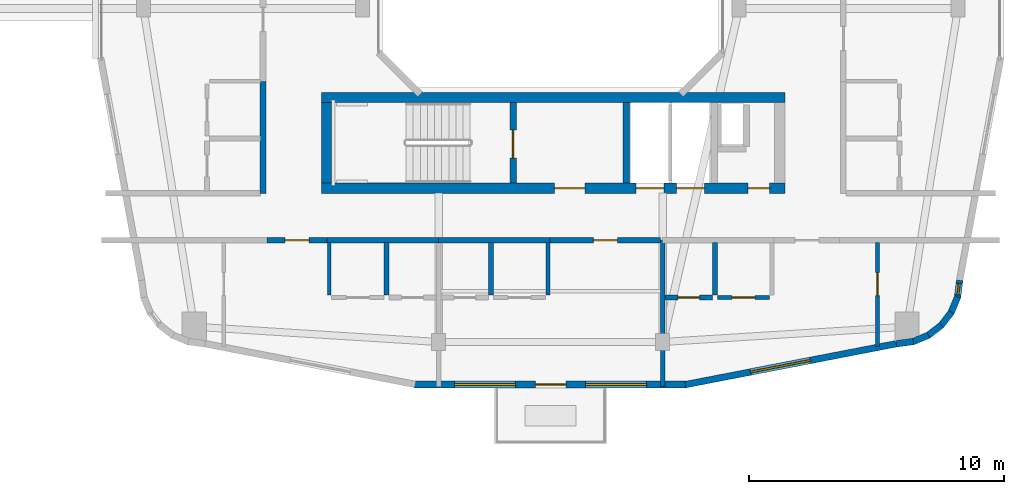
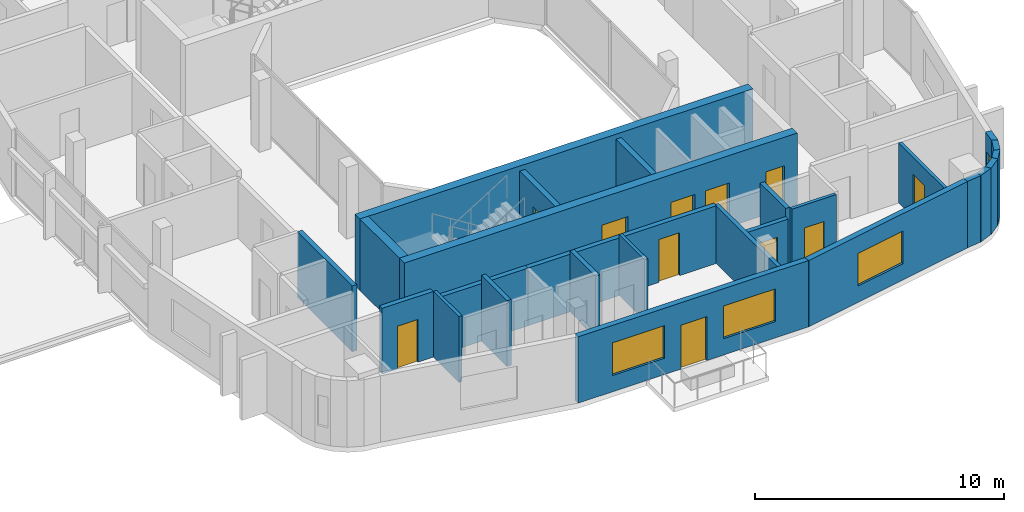
# One storey, part 13 of 22: 27 walls, 11 doors, 4 windows, 15 openings.
"""IFC4 building model written with IfcOpenShell, lengths in metres."""

from ifc_helpers import new_model, si_unit, derived_unit, direction, frame, frame_2d, origin, place, context, subcontext, project, spatial, rectangle, extrude, material, layer, layer_set, type_object, element, fill, save


model = new_model("IFC4")

# Units and contexts
model_context = context("Model", 3, precision=1e-05, world=origin(), true_north=direction((0.0, 1.0)))
body_context = subcontext(model_context, "Body", "Model", "MODEL_VIEW")
ifc_project = project(units=[si_unit("LENGTHUNIT", "METRE"), si_unit("AREAUNIT", "SQUARE_METRE"), si_unit("VOLUMEUNIT", "CUBIC_METRE"), si_unit("PLANEANGLEUNIT", "RADIAN"), si_unit("MASSUNIT", "GRAM", prefix="KILO"), derived_unit("THERMALTRANSMITTANCEUNIT", [(si_unit("POWERUNIT", "WATT"), 1), (si_unit("LENGTHUNIT", "METRE"), -2), (si_unit("THERMODYNAMICTEMPERATUREUNIT", "KELVIN"), -1)])], contexts=[model_context])

# Site, building, storey
site_placement = place(None, origin())
site = spatial("IfcSite", under=ifc_project, at=site_placement, CompositionType="ELEMENT")
building_placement = place(site_placement, origin())
building = spatial("IfcBuilding", under=site, at=building_placement, Name="Kivonza Crest Hotel", CompositionType="ELEMENT")
storey_placement = place(building_placement, frame((0.0, 0.0, 124.0)))
storey = spatial("IfcBuildingStorey", under=building, at=storey_placement, Name="L33", CompositionType="ELEMENT", Elevation=124.0)

# Walls
ifc_material_1 = material(Name="High-density acoustic masonry inter-tenancy wall", Category="masonry")
ifc_layer_1 = layer(ifc_material_1, 0.179931640625)
ifc_layer_set_1 = layer_set([ifc_layer_1], Name="High-density acoustic masonry inter-tenancy wall")
wall_type_1 = type_object("IfcWallType", Name="WL-ACOU-180", PredefinedType="SOLIDWALL", material=ifc_layer_set_1)
wall_1_placement = place(storey_placement, frame((81.39990234375, 6.659912109375, 0.0), z_axis=(0.0, 0.0, 1.0), x_axis=(0.0, 1.0, 0.0)))
element("IfcWall", 1, at=wall_1_placement, inside=storey, type_object=wall_type_1, Name="L33 interior partition WA-L33-T2S-DIV2", PredefinedType="SOLIDWALL", context=body_context, shape_type="SweptSolid", body=[
    extrude(rectangle(XDim=5.739990234375, YDim=0.179931640625, at=frame_2d((2.8701171875, 0.0))), origin(), (0.0, 0.0, 1.0), 2.824951171875),
])
ifc_material_2 = material(Name="Autoclaved aerated concrete blockwork", Category="masonry")
ifc_layer_2 = layer(ifc_material_2, 0.219970703125)
ifc_layer_set_2 = layer_set([ifc_layer_2], Name="Autoclaved aerated concrete blockwork")
wall_type_2 = type_object("IfcWallType", Name="WL-ACOU-220", PredefinedType="SOLIDWALL", material=ifc_layer_set_2)
wall_2_placement = place(storey_placement, frame((68.219970703125, 12.39990234375, 0.0), z_axis=(0.0, 0.0, 1.0), x_axis=(1.0, 0.0, 0.0)))
element("IfcWall", 2, at=wall_2_placement, inside=storey, type_object=wall_type_2, Name="L33 interior partition WA-L33-A03-RCORR", PredefinedType="SOLIDWALL", context=body_context, shape_type="SweptSolid", body=[
    extrude(rectangle(XDim=4.380126953125, YDim=0.219970703125, at=frame_2d((2.18994140625, 0.0))), origin(), (0.0, 0.0, 1.0), 2.824951171875),
])

# Wall, opening, door
wall_3_placement = place(storey_placement, frame((65.85009765625, 12.39990234375, 0.0), z_axis=(0.0, 0.0, 1.0), x_axis=(1.0, 0.0, 0.0)))
wall_3 = element("IfcWall", 3, at=wall_3_placement, inside=storey, type_object=wall_type_2, Name="L33 interior partition WA-L33-A03-MCORR", PredefinedType="SOLIDWALL", context=body_context, shape_type="SweptSolid", body=[
    extrude(rectangle(XDim=2.369873046875, YDim=0.219970703125, at=frame_2d((1.18505859375, 0.0))), origin(), (0.0, 0.0, 1.0), 3.219970703125),
])
opening_1_placement = place(wall_3_placement, frame((0.7099609375, 0.0, 0.0)))
opening_1 = element("IfcOpeningElement", 4, at=opening_1_placement, cuts=wall_3, Name="Opening DU-60", PredefinedType="OPENING", context=body_context, shape_type="SweptSolid", body=[
    extrude(rectangle(XDim=0.949951171875, YDim=2.10009765625, at=frame_2d((0.47509765625, 1.050048828125))), frame((0.0, 0.1201171875, 0.0), z_axis=(0.0, -1.0, 0.0), x_axis=(1.0, 0.0, 0.0)), (0.0, 0.0, 1.0), 0.239990234375),
])
ifc_material_3 = material(Name="Hardwood timber oak", Category="wood")
door_type_1 = type_object("IfcDoorType", Name="DR-UNIT-950", OperationType="NOTDEFINED", PredefinedType="DOOR", material=ifc_material_3)
door_1_placement = place(opening_1_placement, frame((0.949951171875, 0.0, 0.0), z_axis=(0.0, 0.0, 1.0), x_axis=(-1.0, 0.0, 0.0)))
door_1 = element("IfcDoor", 5, at=door_1_placement, inside=storey, type_object=door_type_1, Name="L33 A03 apartment entrance fire door", OperationType="SINGLE_SWING_LEFT", OverallHeight=2.10009765625, OverallWidth=0.949951171875, PredefinedType="DOOR", context=body_context, shape_type="SweptSolid", body=[
    extrude(rectangle(XDim=0.949951171875, YDim=2.10009765625, at=frame_2d((0.47509765625, 1.050048828125))), frame((0.0, 0.02490234375, 0.0), z_axis=(0.0, -1.0, 0.0), x_axis=(1.0, 0.0, 0.0)), (0.0, 0.0, 1.0), 0.050048828125),
])
fill(opening_1, door_1)

# Wall
wall_4_placement = place(storey_placement, frame((72.60009765625, 12.39990234375, 0.0), z_axis=(0.0, 0.0, 1.0), x_axis=(1.0, 0.0, 0.0)))
element("IfcWall", 6, at=wall_4_placement, inside=storey, type_object=wall_type_2, Name="L33 interior partition WA-L33-A04-LCORR", PredefinedType="SOLIDWALL", context=body_context, shape_type="SweptSolid", body=[
    extrude(rectangle(XDim=4.3798828125, YDim=0.219970703125, at=frame_2d((2.18994140625, 0.0))), origin(), (0.0, 0.0, 1.0), 2.824951171875),
])

# Wall, opening, door
wall_5_placement = place(storey_placement, frame((76.97998046875, 12.39990234375, 0.0), z_axis=(0.0, 0.0, 1.0), x_axis=(1.0, 0.0, 0.0)))
wall_5 = element("IfcWall", 7, at=wall_5_placement, inside=storey, type_object=wall_type_2, Name="L33 interior partition WA-L33-A04-MCORR", PredefinedType="SOLIDWALL", context=body_context, shape_type="SweptSolid", body=[
    extrude(rectangle(XDim=4.340087890625, YDim=0.219970703125, at=frame_2d((2.169921875, 0.0))), origin(), (0.0, 0.0, 1.0), 2.824951171875),
])
opening_2_placement = place(wall_5_placement, frame((1.695068359375, 0.0, 0.0)))
opening_2 = element("IfcOpeningElement", 8, at=opening_2_placement, cuts=wall_5, Name="Opening DU-60", PredefinedType="OPENING", context=body_context, shape_type="SweptSolid", body=[
    extrude(rectangle(XDim=0.949951171875, YDim=2.10009765625, at=frame_2d((0.47509765625, 1.050048828125))), frame((0.0, 0.1201171875, 0.0), z_axis=(0.0, -1.0, 0.0), x_axis=(1.0, 0.0, 0.0)), (0.0, 0.0, 1.0), 0.239990234375),
])
door_2_placement = place(opening_2_placement, frame((0.949951171875, 0.0, 0.0), z_axis=(0.0, 0.0, 1.0), x_axis=(-1.0, 0.0, 0.0)))
door_2 = element("IfcDoor", 9, at=door_2_placement, inside=storey, type_object=door_type_1, Name="L33 A04 apartment entrance fire door", OperationType="SINGLE_SWING_RIGHT", OverallHeight=2.10009765625, OverallWidth=0.949951171875, PredefinedType="DOOR", context=body_context, shape_type="SweptSolid", body=[
    extrude(rectangle(XDim=0.949951171875, YDim=2.10009765625, at=frame_2d((0.47509765625, 1.050048828125))), frame((0.0, 0.02490234375, 0.0), z_axis=(0.0, -1.0, 0.0), x_axis=(1.0, 0.0, 0.0)), (0.0, 0.0, 1.0), 0.050048828125),
])
fill(opening_2, door_2)

# Wall
wall_6_placement = place(storey_placement, frame((65.699951171875, 14.239990234375, 0.0), z_axis=(0.0, 0.0, 1.0), x_axis=(0.0, 1.0, 0.0)))
element("IfcWall", 10, at=wall_6_placement, inside=storey, type_object=wall_type_2, Name="L33 interior partition WA-L33-A06-BCORR", PredefinedType="SOLIDWALL", context=body_context, shape_type="SweptSolid", body=[
    extrude(rectangle(XDim=4.39990234375, YDim=0.219970703125, at=frame_2d((2.199951171875, 0.0))), origin(), (0.0, 0.0, 1.0), 3.219970703125),
])

# Wall, openings, doors
ifc_material_4 = material(Name="Concrete C50/60", Category="concrete")
ifc_layer_3 = layer(ifc_material_4, 0.39990234375)
ifc_layer_set_3 = layer_set([ifc_layer_3], Name="Concrete C50/60")
wall_type_3 = type_object("IfcWallType", Name="WL-CORE-400", PredefinedType="SHEAR", material=ifc_layer_set_3)
wall_7_placement = place(storey_placement, frame((68.0, 14.43994140625, 0.0), z_axis=(0.0, 0.0, 1.0), x_axis=(1.0, 0.0, 0.0)))
wall_7 = element("IfcWall", 11, at=wall_7_placement, inside=storey, type_object=wall_type_3, Name="Core wall T2-S South L33", PredefinedType="SHEAR", context=body_context, shape_type="SweptSolid", body=[
    extrude(rectangle(XDim=18.199951171875, YDim=0.39990234375, at=frame_2d((9.10009765625, 0.0))), origin(), (0.0, 0.0, 1.0), 3.5),
])
opening_3_placement = place(wall_7_placement, frame((9.14990234375, 0.0, 0.0)))
opening_3 = element("IfcOpeningElement", 12, at=opening_3_placement, cuts=wall_7, Name="Opening DF-60", PredefinedType="OPENING", context=body_context, shape_type="SweptSolid", body=[
    extrude(rectangle(XDim=1.199951171875, YDim=2.14990234375, at=frame_2d((0.60009765625, 1.074951171875))), frame((0.0, 0.2099609375, 0.0), z_axis=(0.0, -1.0, 0.0), x_axis=(1.0, 0.0, 0.0)), (0.0, 0.0, 1.0), 0.419921875),
])
opening_4_placement = place(wall_7_placement, frame((16.75, 0.0, 0.0)))
opening_4 = element("IfcOpeningElement", 13, at=opening_4_placement, cuts=wall_7, Name="Opening DF-60R", PredefinedType="OPENING", context=body_context, shape_type="SweptSolid", body=[
    extrude(rectangle(XDim=0.85009765625, YDim=2.10009765625, at=frame_2d((0.425048828125, 1.050048828125))), frame((0.0, 0.2099609375, 0.0), z_axis=(0.0, -1.0, 0.0), x_axis=(1.0, 0.0, 0.0)), (0.0, 0.0, 1.0), 0.419921875),
])
opening_5_placement = place(wall_7_placement, frame((12.35009765625, 0.0, 0.0)))
opening_5 = element("IfcOpeningElement", 14, at=opening_5_placement, cuts=wall_7, Name="Opening LD-120", PredefinedType="OPENING", context=body_context, shape_type="SweptSolid", body=[
    extrude(rectangle(XDim=1.10009765625, YDim=2.14990234375, at=frame_2d((0.550048828125, 1.074951171875))), frame((0.0, 0.2099609375, 0.0), z_axis=(0.0, -1.0, 0.0), x_axis=(1.0, 0.0, 0.0)), (0.0, 0.0, 1.0), 0.419921875),
])
opening_6_placement = place(wall_7_placement, frame((13.949951171875, 0.0, 0.0)))
opening_6 = element("IfcOpeningElement", 15, at=opening_6_placement, cuts=wall_7, Name="Opening LD-120", PredefinedType="OPENING", context=body_context, shape_type="SweptSolid", body=[
    extrude(rectangle(XDim=1.10009765625, YDim=2.14990234375, at=frame_2d((0.550048828125, 1.074951171875))), frame((0.0, 0.2099609375, 0.0), z_axis=(0.0, -1.0, 0.0), x_axis=(1.0, 0.0, 0.0)), (0.0, 0.0, 1.0), 0.419921875),
])
door_type_2 = type_object("IfcDoorType", Name="DR-FD60-1200", OperationType="NOTDEFINED", PredefinedType="DOOR", material=ifc_material_3)
door_3_placement = place(opening_3_placement, frame((1.199951171875, 0.0, 0.0), z_axis=(0.0, 0.0, 1.0), x_axis=(-1.0, 0.0, 0.0)))
door_3 = element("IfcDoor", 16, at=door_3_placement, inside=storey, type_object=door_type_2, Name="L33 T2-S firefighting lobby fire door", OperationType="SINGLE_SWING_LEFT", OverallHeight=2.14990234375, OverallWidth=1.199951171875, PredefinedType="DOOR", context=body_context, shape_type="SweptSolid", body=[
    extrude(rectangle(XDim=1.199951171875, YDim=2.14990234375, at=frame_2d((0.60009765625, 1.074951171875))), frame((0.0, 0.02490234375, 0.0), z_axis=(0.0, -1.0, 0.0), x_axis=(1.0, 0.0, 0.0)), (0.0, 0.0, 1.0), 0.050048828125),
])
fill(opening_3, door_3)
door_type_3 = type_object("IfcDoorType", Name="DR-FD60-850", OperationType="NOTDEFINED", PredefinedType="DOOR", material=ifc_material_3)
door_4_placement = place(opening_4_placement, frame((0.85009765625, 0.0, 0.0), z_axis=(0.0, 0.0, 1.0), x_axis=(-1.0, 0.0, 0.0)))
door_4 = element("IfcDoor", 17, at=door_4_placement, inside=storey, type_object=door_type_3, Name="L33 T2-S core room door", OperationType="SINGLE_SWING_RIGHT", OverallHeight=2.10009765625, OverallWidth=0.85009765625, PredefinedType="DOOR", context=body_context, shape_type="SweptSolid", body=[
    extrude(rectangle(XDim=0.85009765625, YDim=2.10009765625, at=frame_2d((0.425048828125, 1.050048828125))), frame((0.0, 0.02490234375, 0.0), z_axis=(0.0, -1.0, 0.0), x_axis=(1.0, 0.0, 0.0)), (0.0, 0.0, 1.0), 0.050048828125),
])
fill(opening_4, door_4)
ifc_material_5 = material(Name="Stainless steel", Category="steel")
door_type_4 = type_object("IfcDoorType", Name="DR-LD120-1100", OperationType="NOTDEFINED", PredefinedType="DOOR", material=ifc_material_5)
door_5_placement = place(opening_5_placement, frame((1.10009765625, 0.0, 0.0), z_axis=(0.0, 0.0, 1.0), x_axis=(-1.0, 0.0, 0.0)))
door_5 = element("IfcDoor", 18, at=door_5_placement, inside=storey, type_object=door_type_4, Name="L33 PL-T2-1 passenger lift sliding landing door", OperationType="DOUBLE_DOOR_SLIDING", OverallHeight=2.14990234375, OverallWidth=1.10009765625, PredefinedType="DOOR", context=body_context, shape_type="SweptSolid", body=[
    extrude(rectangle(XDim=1.10009765625, YDim=2.14990234375, at=frame_2d((0.550048828125, 1.074951171875))), frame((0.0, 0.02490234375, 0.0), z_axis=(0.0, -1.0, 0.0), x_axis=(1.0, 0.0, 0.0)), (0.0, 0.0, 1.0), 0.050048828125),
])
fill(opening_5, door_5)
door_6_placement = place(opening_6_placement, frame((1.10009765625, 0.0, 0.0), z_axis=(0.0, 0.0, 1.0), x_axis=(-1.0, 0.0, 0.0)))
door_6 = element("IfcDoor", 19, at=door_6_placement, inside=storey, type_object=door_type_4, Name="L33 PL-T2-2 passenger lift sliding landing door", OperationType="DOUBLE_DOOR_SLIDING", OverallHeight=2.14990234375, OverallWidth=1.10009765625, PredefinedType="DOOR", context=body_context, shape_type="SweptSolid", body=[
    extrude(rectangle(XDim=1.10009765625, YDim=2.14990234375, at=frame_2d((0.550048828125, 1.074951171875))), frame((0.0, 0.02490234375, 0.0), z_axis=(0.0, -1.0, 0.0), x_axis=(1.0, 0.0, 0.0)), (0.0, 0.0, 1.0), 0.050048828125),
])
fill(opening_6, door_6)

# Walls
wall_8_placement = place(storey_placement, frame((68.0, 18.0, 0.0), z_axis=(0.0, 0.0, 1.0), x_axis=(1.0, 0.0, 0.0)))
element("IfcWall", 20, at=wall_8_placement, inside=storey, type_object=wall_type_3, Name="Core wall T2-S North L33", PredefinedType="SHEAR", context=body_context, shape_type="SweptSolid", body=[
    extrude(rectangle(XDim=18.199951171875, YDim=0.39990234375, at=frame_2d((9.10009765625, 0.0))), origin(), (0.0, 0.0, 1.0), 3.5),
])
wall_9_placement = place(storey_placement, frame((68.199951171875, 14.639892578125, 0.0), z_axis=(0.0, 0.0, 1.0), x_axis=(0.0, 1.0, 0.0)))
element("IfcWall", 21, at=wall_9_placement, inside=storey, type_object=wall_type_3, Name="Core wall T2-S West L33", PredefinedType="SHEAR", context=body_context, shape_type="SweptSolid", body=[
    extrude(rectangle(XDim=3.16015625, YDim=0.39990234375, at=frame_2d((1.580078125, 0.0))), origin(), (0.0, 0.0, 1.0), 3.5),
])

# Wall, openings, door, windows
ifc_material_6 = material(Name="Precast concrete C40/50", Category="concrete")
ifc_layer_4 = layer(ifc_material_6, 0.260009765625)
ifc_layer_set_4 = layer_set([ifc_layer_4], Name="Precast concrete C40/50")
wall_type_4 = type_object("IfcWallType", Name="WL-EXT-260", PredefinedType="STANDARD", material=ifc_layer_set_4)
wall_10_placement = place(storey_placement, frame((71.635009765625, 6.72998046875, 0.0), z_axis=(0.0, 0.0, 1.0), x_axis=(1.0, 0.0, 0.0)))
wall_10 = element("IfcWall", 22, at=wall_10_placement, inside=storey, type_object=wall_type_4, Name="L33 T2 exterior insulated wall 8", PredefinedType="STANDARD", context=body_context, shape_type="SweptSolid", body=[
    extrude(rectangle(XDim=10.695068359375, YDim=0.260009765625, at=frame_2d((5.34765625, 0.0))), origin(), (0.0, 0.0, 1.0), 3.25),
])
opening_7_placement = place(wall_10_placement, frame((4.764892578125, 0.0, 0.0)))
opening_7 = element("IfcOpeningElement", 23, at=opening_7_placement, cuts=wall_10, Name="Opening DT-120", PredefinedType="OPENING", context=body_context, shape_type="SweptSolid", body=[
    extrude(rectangle(XDim=1.199951171875, YDim=2.14990234375, at=frame_2d((0.60009765625, 1.074951171875))), frame((0.0, 0.14013671875, 0.0), z_axis=(0.0, -1.0, 0.0), x_axis=(1.0, 0.0, 0.0)), (0.0, 0.0, 1.0), 0.280029296875),
])
opening_8_placement = place(wall_10_placement, frame((1.590087890625, 0.0, 0.800048828125)))
opening_8 = element("IfcOpeningElement", 24, at=opening_8_placement, cuts=wall_10, Name="Opening WN-05", PredefinedType="OPENING", context=body_context, shape_type="SweptSolid", body=[
    extrude(rectangle(XDim=2.39990234375, YDim=1.60009765625, at=frame_2d((1.199951171875, 0.800048828125))), frame((0.0, 0.14013671875, 0.0), z_axis=(0.0, -1.0, 0.0), x_axis=(1.0, 0.0, 0.0)), (0.0, 0.0, 1.0), 0.280029296875),
])
opening_9_placement = place(wall_10_placement, frame((6.739990234375, 0.0, 0.800048828125)))
opening_9 = element("IfcOpeningElement", 25, at=opening_9_placement, cuts=wall_10, Name="Opening WN-05", PredefinedType="OPENING", context=body_context, shape_type="SweptSolid", body=[
    extrude(rectangle(XDim=2.39990234375, YDim=1.60009765625, at=frame_2d((1.199951171875, 0.800048828125))), frame((0.0, 0.14013671875, 0.0), z_axis=(0.0, -1.0, 0.0), x_axis=(1.0, 0.0, 0.0)), (0.0, 0.0, 1.0), 0.280029296875),
])
ifc_material_7 = material(Name="Anodised bronze aluminium and laminated safety glass", Category="aluminium")
door_type_5 = type_object("IfcDoorType", Name="DR-TERR-1200", OperationType="NOTDEFINED", PredefinedType="DOOR", material=ifc_material_7)
door_7_placement = place(opening_7_placement, frame((1.199951171875, 0.0, 0.0), z_axis=(0.0, 0.0, 1.0), x_axis=(-1.0, 0.0, 0.0)))
door_7 = element("IfcDoor", 26, at=door_7_placement, inside=storey, type_object=door_type_5, Name="T2 L33 SW sky-garden bridge access door", OperationType="SINGLE_SWING_RIGHT", OverallHeight=2.14990234375, OverallWidth=1.199951171875, PredefinedType="DOOR", context=body_context, shape_type="SweptSolid", body=[
    extrude(rectangle(XDim=1.199951171875, YDim=2.14990234375, at=frame_2d((0.60009765625, 1.074951171875))), frame((0.0, 0.02490234375, 0.0), z_axis=(0.0, -1.0, 0.0), x_axis=(1.0, 0.0, 0.0)), (0.0, 0.0, 1.0), 0.050048828125),
])
fill(opening_7, door_7)
ifc_material_8 = material(Name="Thermally broken bronze aluminium and low-E double glazing", Category="aluminium")
window_type_1 = type_object("IfcWindowType", Name="WN-240x160", PartitioningType="TRIPLE_PANEL_VERTICAL", PredefinedType="WINDOW", material=ifc_material_8)
window_1_placement = place(opening_8_placement, origin())
window_1 = element("IfcWindow", 27, at=window_1_placement, inside=storey, type_object=window_type_1, Name="L33 T2 facade window 8 bay 1", OverallHeight=1.60009765625, OverallWidth=2.39990234375, PartitioningType="SINGLE_PANEL", PredefinedType="WINDOW", context=body_context, shape_type="SweptSolid", body=[
    extrude(rectangle(XDim=2.39990234375, YDim=1.60009765625, at=frame_2d((1.199951171875, 0.800048828125))), frame((0.0, 0.030029296875, 0.0), z_axis=(0.0, -1.0, 0.0), x_axis=(1.0, 0.0, 0.0)), (0.0, 0.0, 1.0), 0.06005859375),
])
fill(opening_8, window_1)
window_2_placement = place(opening_9_placement, origin())
window_2 = element("IfcWindow", 28, at=window_2_placement, inside=storey, type_object=window_type_1, Name="L33 T2 facade window 8 bay 2", OverallHeight=1.60009765625, OverallWidth=2.39990234375, PartitioningType="SINGLE_PANEL", PredefinedType="WINDOW", context=body_context, shape_type="SweptSolid", body=[
    extrude(rectangle(XDim=2.39990234375, YDim=1.60009765625, at=frame_2d((1.199951171875, 0.800048828125))), frame((0.0, 0.030029296875, 0.0), z_axis=(0.0, -1.0, 0.0), x_axis=(1.0, 0.0, 0.0)), (0.0, 0.0, 1.0), 0.06005859375),
])
fill(opening_9, window_2)

# Wall, opening, window
wall_11_placement = place(storey_placement, frame((82.2900390625, 6.722900390625, 0.0), z_axis=(0.0, 0.0, 1.0), x_axis=(0.981733729692, 0.190260043057, 0.0)))
wall_11 = element("IfcWall", 29, at=wall_11_placement, inside=storey, type_object=wall_type_4, Name="L33 T2 exterior insulated wall 9", PredefinedType="STANDARD", context=body_context, shape_type="SweptSolid", body=[
    extrude(rectangle(XDim=8.447265625, YDim=0.260009765625, at=frame_2d((4.2236328125, 0.0))), origin(), (0.0, 0.0, 1.0), 3.25),
])
opening_10_placement = place(wall_11_placement, frame((2.60791015625, 0.0, 0.800048828125)))
opening_10 = element("IfcOpeningElement", 30, at=opening_10_placement, cuts=wall_11, Name="Opening WN-05", PredefinedType="OPENING", context=body_context, shape_type="SweptSolid", body=[
    extrude(rectangle(XDim=2.39990234375, YDim=1.60009765625, at=frame_2d((1.199951171875, 0.800048828125))), frame((0.0, 0.14013671875, 0.0), z_axis=(0.0, -1.0, 0.0), x_axis=(1.0, 0.0, 0.0)), (0.0, 0.0, 1.0), 0.280029296875),
])
window_3_placement = place(opening_10_placement, origin())
window_3 = element("IfcWindow", 31, at=window_3_placement, inside=storey, type_object=window_type_1, Name="L33 T2 facade window 9", OverallHeight=1.60009765625, OverallWidth=2.39990234375, PartitioningType="SINGLE_PANEL", PredefinedType="WINDOW", context=body_context, shape_type="SweptSolid", body=[
    extrude(rectangle(XDim=2.39990234375, YDim=1.60009765625, at=frame_2d((1.199951171875, 0.800048828125))), frame((0.0, 0.030029296875, 0.0), z_axis=(0.0, -1.0, 0.0), x_axis=(1.0, 0.0, 0.0)), (0.0, 0.0, 1.0), 0.06005859375),
])
fill(opening_10, window_3)

# Walls
wall_12_placement = place(storey_placement, frame((90.574951171875, 8.327880859375, 0.0), z_axis=(0.0, 0.0, 1.0), x_axis=(0.991300187529, 0.13162043232, 0.0)))
element("IfcWall", 32, at=wall_12_placement, inside=storey, type_object=wall_type_4, Name="L33 T2 exterior insulated wall 10", PredefinedType="STANDARD", context=body_context, shape_type="SweptSolid", body=[
    extrude(rectangle(XDim=0.677001953125, YDim=0.260009765625, at=frame_2d((0.33837890625, 0.0))), origin(), (0.0, 0.0, 1.0), 3.25),
])
for number, where, z_axis, x_axis, name in (
    (33, (91.199951171875, 8.39892578125, 0.0), (0.0, 0.0, 1.0), (0.924093981904, 0.382165294877, 0.0), "L33 T2 exterior insulated wall 11"),
    (34, (91.801025390625, 8.635986328125, 0.0), (0.0, 0.0, 1.0), (0.792637067512, 0.609693758543, 0.0), "L33 T2 exterior insulated wall 12"),
    (35, (92.320068359375, 9.02099609375, 0.0), (0.0, 0.0, 1.0), (0.609472651958, 0.792807092876, 0.0), "L33 T2 exterior insulated wall 13"),
):
    element("IfcWall", number, at=place(storey_placement, frame(where, z_axis=z_axis, x_axis=x_axis)), inside=storey, type_object=wall_type_4, Name=name, PredefinedType="STANDARD", context=body_context, shape_type="SweptSolid", body=[
        extrude(rectangle(XDim=0.69384765625, YDim=0.260009765625, at=frame_2d((0.346923828125, 0.0))), origin(), (0.0, 0.0, 1.0), 3.25),
    ])
wall_13_placement = place(storey_placement, frame((92.721923828125, 9.527099609375, 0.0), z_axis=(0.0, 0.0, 1.0), x_axis=(0.382289608286, 0.924042561464, 0.0)))
element("IfcWall", 36, at=wall_13_placement, inside=storey, type_object=wall_type_4, Name="L33 T2 exterior insulated wall 14", PredefinedType="STANDARD", context=body_context, shape_type="SweptSolid", body=[
    extrude(rectangle(XDim=0.693603515625, YDim=0.260009765625, at=frame_2d((0.3466796875, 0.0))), origin(), (0.0, 0.0, 1.0), 3.25),
])

# Wall, opening, window
wall_14_placement = place(storey_placement, frame((92.97900390625, 10.118896484375, 0.0), z_axis=(0.0, 0.0, 1.0), x_axis=(0.130614135366, 0.991433279471, 0.0)))
wall_14 = element("IfcWall", 37, at=wall_14_placement, inside=storey, type_object=wall_type_4, Name="L33 T2 exterior insulated wall 15", PredefinedType="STANDARD", context=body_context, shape_type="SweptSolid", body=[
    extrude(rectangle(XDim=0.712158203125, YDim=0.260009765625, at=frame_2d((0.35595703125, 0.0))), origin(), (0.0, 0.0, 1.0), 3.25),
])
opening_11_placement = place(wall_14_placement, frame((0.131103515625, 0.0, 0.85009765625)))
opening_11 = element("IfcOpeningElement", 38, at=opening_11_placement, cuts=wall_14, Name="Opening WN-11", PredefinedType="OPENING", context=body_context, shape_type="SweptSolid", body=[
    extrude(rectangle(XDim=0.449951171875, YDim=1.5, at=frame_2d((0.22509765625, 0.75))), frame((0.0, 0.14013671875, 0.0), z_axis=(0.0, -1.0, 0.0), x_axis=(1.0, 0.0, 0.0)), (0.0, 0.0, 1.0), 0.280029296875),
])
window_type_2 = type_object("IfcWindowType", Name="WN-045x150", PartitioningType="SINGLE_PANEL", PredefinedType="WINDOW", material=ifc_material_8)
window_4_placement = place(opening_11_placement, origin())
window_4 = element("IfcWindow", 39, at=window_4_placement, inside=storey, type_object=window_type_2, Name="L33 corner vision window 5", OverallHeight=1.5, OverallWidth=0.449951171875, PartitioningType="SINGLE_PANEL", PredefinedType="WINDOW", context=body_context, shape_type="SweptSolid", body=[
    extrude(rectangle(XDim=0.449951171875, YDim=1.5, at=frame_2d((0.22509765625, 0.75))), frame((0.0, 0.030029296875, 0.0), z_axis=(0.0, -1.0, 0.0), x_axis=(1.0, 0.0, 0.0)), (0.0, 0.0, 1.0), 0.06005859375),
])
fill(opening_11, window_4)

# Walls
ifc_material_9 = material(Name="Twin-stud acoustic gypsum board partition", Category="gypsum")
ifc_layer_5 = layer(ifc_material_9, 0.14990234375)
ifc_layer_set_5 = layer_set([ifc_layer_5], Name="Twin-stud acoustic gypsum board partition")
wall_type_5 = type_object("IfcWallType", Name="WL-PART-150", PredefinedType="PARTITIONING", material=ifc_layer_set_5)
wall_15_placement = place(storey_placement, frame((68.300048828125, 10.25, 0.0), z_axis=(0.0, 0.0, 1.0), x_axis=(0.0, 1.0, 0.0)))
element("IfcWall", 40, at=wall_15_placement, inside=storey, type_object=wall_type_5, Name="L33 interior partition WP-L33-A03-KF", PredefinedType="PARTITIONING", context=body_context, shape_type="SweptSolid", body=[
    extrude(rectangle(XDim=2.050048828125, YDim=0.14990234375, at=frame_2d((1.02490234375, 0.0))), origin(), (0.0, 0.0, 1.0), 3.219970703125),
])
wall_16_placement = place(storey_placement, frame((76.89990234375, 10.25, 0.0), z_axis=(0.0, 0.0, 1.0), x_axis=(0.0, 1.0, 0.0)))
element("IfcWall", 41, at=wall_16_placement, inside=storey, type_object=wall_type_5, Name="L33 interior partition WP-L33-A04-KF", PredefinedType="PARTITIONING", context=body_context, shape_type="SweptSolid", body=[
    extrude(rectangle(XDim=2.050048828125, YDim=0.14990234375, at=frame_2d((1.02490234375, 0.0))), origin(), (0.0, 0.0, 1.0), 2.985107421875),
])

# Wall, opening, door
wall_17_placement = place(storey_placement, frame((89.840087890625, 8.214111328125, 0.0), z_axis=(0.0, 0.0, 1.0), x_axis=(0.0, 1.0, 0.0)))
wall_17 = element("IfcWall", 42, at=wall_17_placement, inside=storey, type_object=wall_type_5, Name="L33 interior partition WP-L33-A05-BDW1", PredefinedType="PARTITIONING", context=body_context, shape_type="SweptSolid", body=[
    extrude(rectangle(XDim=4.0859375, YDim=0.14990234375, at=frame_2d((2.04296875, 0.0))), origin(), (0.0, 0.0, 1.0), 2.945068359375),
])
opening_12_placement = place(wall_17_placement, frame((2.010009765625, 0.0, 0.0)))
opening_12 = element("IfcOpeningElement", 43, at=opening_12_placement, cuts=wall_17, Name="Opening DI-90", PredefinedType="OPENING", context=body_context, shape_type="SweptSolid", body=[
    extrude(rectangle(XDim=0.89990234375, YDim=2.10009765625, at=frame_2d((0.449951171875, 1.050048828125))), frame((0.0, 0.0849609375, 0.0), z_axis=(0.0, -1.0, 0.0), x_axis=(1.0, 0.0, 0.0)), (0.0, 0.0, 1.0), 0.169921875),
])
door_type_6 = type_object("IfcDoorType", Name="DR-INT-900", OperationType="NOTDEFINED", PredefinedType="DOOR", material=ifc_material_3)
door_8_placement = place(opening_12_placement, origin())
door_8 = element("IfcDoor", 44, at=door_8_placement, inside=storey, type_object=door_type_6, Name="L33 A05 bedroom 1 door", OperationType="SINGLE_SWING_RIGHT", OverallHeight=2.10009765625, OverallWidth=0.89990234375, PredefinedType="DOOR", context=body_context, shape_type="SweptSolid", body=[
    extrude(rectangle(XDim=0.89990234375, YDim=2.10009765625, at=frame_2d((0.449951171875, 1.050048828125))), frame((0.0, 0.02490234375, 0.0), z_axis=(0.0, -1.0, 0.0), x_axis=(1.0, 0.0, 0.0)), (0.0, 0.0, 1.0), 0.050048828125),
])
fill(opening_12, door_8)

wall_18_placement = place(storey_placement, frame((83.550048828125, 10.14990234375, 0.0), z_axis=(0.0, 0.0, 1.0), x_axis=(1.0, 0.0, 0.0)))
wall_18 = element("IfcWall", 45, at=wall_18_placement, inside=storey, type_object=wall_type_5, Name="L33 interior partition WP-L33-A05-KSVC", PredefinedType="PARTITIONING", context=body_context, shape_type="SweptSolid", body=[
    extrude(rectangle(XDim=2.050048828125, YDim=0.14990234375, at=frame_2d((1.02490234375, 0.0))), origin(), (0.0, 0.0, 1.0), 3.219970703125),
])
opening_13_placement = place(wall_18_placement, frame((0.574951171875, 0.0, 0.0)))
opening_13 = element("IfcOpeningElement", 46, at=opening_13_placement, cuts=wall_18, Name="Opening DI-90", PredefinedType="OPENING", context=body_context, shape_type="SweptSolid", body=[
    extrude(rectangle(XDim=0.89990234375, YDim=2.10009765625, at=frame_2d((0.449951171875, 1.050048828125))), frame((0.0, 0.0849609375, 0.0), z_axis=(0.0, -1.0, 0.0), x_axis=(1.0, 0.0, 0.0)), (0.0, 0.0, 1.0), 0.169921875),
])
door_9_placement = place(opening_13_placement, frame((0.89990234375, 0.0, 0.0), z_axis=(0.0, 0.0, 1.0), x_axis=(-1.0, 0.0, 0.0)))
door_9 = element("IfcDoor", 47, at=door_9_placement, inside=storey, type_object=door_type_6, Name="L33 A05 apartment kitchen door", OperationType="SINGLE_SWING_LEFT", OverallHeight=2.10009765625, OverallWidth=0.89990234375, PredefinedType="DOOR", context=body_context, shape_type="SweptSolid", body=[
    extrude(rectangle(XDim=0.89990234375, YDim=2.10009765625, at=frame_2d((0.449951171875, 1.050048828125))), frame((0.0, 0.02490234375, 0.0), z_axis=(0.0, -1.0, 0.0), x_axis=(1.0, 0.0, 0.0)), (0.0, 0.0, 1.0), 0.050048828125),
])
fill(opening_13, door_9)

# Walls
ifc_material_10 = material(Name="Moisture-resistant plumbing chase partition wall", Category="gypsum")
ifc_layer_6 = layer(ifc_material_10, 0.199951171875)
ifc_layer_set_6 = layer_set([ifc_layer_6], Name="Moisture-resistant plumbing chase partition wall")
wall_type_6 = type_object("IfcWallType", Name="WL-PLUMB-200", PredefinedType="PLUMBINGWALL", material=ifc_layer_set_6)
wall_19_placement = place(storey_placement, frame((70.550048828125, 10.25, 0.0), z_axis=(0.0, 0.0, 1.0), x_axis=(0.0, 1.0, 0.0)))
element("IfcWall", 48, at=wall_19_placement, inside=storey, type_object=wall_type_6, Name="L33 interior partition WW-L33-A03-BK", PredefinedType="PLUMBINGWALL", context=body_context, shape_type="SweptSolid", body=[
    extrude(rectangle(XDim=2.050048828125, YDim=0.199951171875, at=frame_2d((1.02490234375, 0.0))), origin(), (0.0, 0.0, 1.0), 3.219970703125),
])
wall_20_placement = place(storey_placement, frame((74.64990234375, 10.25, 0.0), z_axis=(0.0, 0.0, 1.0), x_axis=(0.0, 1.0, 0.0)))
element("IfcWall", 49, at=wall_20_placement, inside=storey, type_object=wall_type_6, Name="L33 interior partition WW-L33-A04-BK", PredefinedType="PLUMBINGWALL", context=body_context, shape_type="SweptSolid", body=[
    extrude(rectangle(XDim=2.050048828125, YDim=0.199951171875, at=frame_2d((1.02490234375, 0.0))), origin(), (0.0, 0.0, 1.0), 2.985107421875),
])
wall_21_placement = place(storey_placement, frame((83.449951171875, 10.25, 0.0), z_axis=(0.0, 0.0, 1.0), x_axis=(0.0, 1.0, 0.0)))
element("IfcWall", 50, at=wall_21_placement, inside=storey, type_object=wall_type_6, Name="L33 interior partition WW-L33-A05-BK", PredefinedType="PLUMBINGWALL", context=body_context, shape_type="SweptSolid", body=[
    extrude(rectangle(XDim=2.050048828125, YDim=0.199951171875, at=frame_2d((1.02490234375, 0.0))), origin(), (0.0, 0.0, 1.0), 3.219970703125),
])

# Wall, opening, door
wall_22_placement = place(storey_placement, frame((81.5, 10.14990234375, 0.0), z_axis=(0.0, 0.0, 1.0), x_axis=(1.0, 0.0, 0.0)))
wall_22 = element("IfcWall", 51, at=wall_22_placement, inside=storey, type_object=wall_type_6, Name="L33 interior partition WW-L33-A05-BSVC", PredefinedType="PLUMBINGWALL", context=body_context, shape_type="SweptSolid", body=[
    extrude(rectangle(XDim=1.85009765625, YDim=0.199951171875, at=frame_2d((0.925048828125, 0.0))), origin(), (0.0, 0.0, 1.0), 2.824951171875),
])
opening_14_placement = place(wall_22_placement, frame((0.5, 0.0, 0.0)))
opening_14 = element("IfcOpeningElement", 52, at=opening_14_placement, cuts=wall_22, Name="Opening DI-85", PredefinedType="OPENING", context=body_context, shape_type="SweptSolid", body=[
    extrude(rectangle(XDim=0.85009765625, YDim=2.10009765625, at=frame_2d((0.425048828125, 1.050048828125))), frame((0.0, 0.10986328125, 0.0), z_axis=(0.0, -1.0, 0.0), x_axis=(1.0, 0.0, 0.0)), (0.0, 0.0, 1.0), 0.219970703125),
])
door_type_7 = type_object("IfcDoorType", Name="DR-INT-850", OperationType="NOTDEFINED", PredefinedType="DOOR", material=ifc_material_3)
door_10_placement = place(opening_14_placement, frame((0.85009765625, 0.0, 0.0), z_axis=(0.0, 0.0, 1.0), x_axis=(-1.0, 0.0, 0.0)))
door_10 = element("IfcDoor", 53, at=door_10_placement, inside=storey, type_object=door_type_7, Name="L33 A05 apartment bathroom door", OperationType="SINGLE_SWING_RIGHT", OverallHeight=2.10009765625, OverallWidth=0.85009765625, PredefinedType="DOOR", context=body_context, shape_type="SweptSolid", body=[
    extrude(rectangle(XDim=0.85009765625, YDim=2.10009765625, at=frame_2d((0.425048828125, 1.050048828125))), frame((0.0, 0.02490234375, 0.0), z_axis=(0.0, -1.0, 0.0), x_axis=(1.0, 0.0, 0.0)), (0.0, 0.0, 1.0), 0.050048828125),
])
fill(opening_14, door_10)

ifc_layer_7 = layer(ifc_material_4, 0.25)
ifc_layer_set_7 = layer_set([ifc_layer_7], Name="Concrete C50/60")
wall_type_7 = type_object("IfcWallType", Name="WL-SHAFT-250", PredefinedType="STANDARD", material=ifc_layer_set_7)
wall_23_placement = place(storey_placement, frame((75.52490234375, 14.639892578125, 0.0), z_axis=(0.0, 0.0, 1.0), x_axis=(0.0, 1.0, 0.0)))
wall_23 = element("IfcWall", 54, at=wall_23_placement, inside=storey, type_object=wall_type_7, Name="Core shaft wall T2-S STAIR L33", PredefinedType="STANDARD", context=body_context, shape_type="SweptSolid", body=[
    extrude(rectangle(XDim=3.16015625, YDim=0.25, at=frame_2d((1.580078125, 0.0))), origin(), (0.0, 0.0, 1.0), 3.25),
])
opening_15_placement = place(wall_23_placement, frame((0.97998046875, 0.0, 0.0)))
opening_15 = element("IfcOpeningElement", 55, at=opening_15_placement, cuts=wall_23, Name="Opening DF-120", PredefinedType="OPENING", context=body_context, shape_type="SweptSolid", body=[
    extrude(rectangle(XDim=1.10009765625, YDim=2.14990234375, at=frame_2d((0.550048828125, 1.074951171875))), frame((0.0, 0.135009765625, 0.0), z_axis=(0.0, -1.0, 0.0), x_axis=(1.0, 0.0, 0.0)), (0.0, 0.0, 1.0), 0.27001953125),
])
ifc_material_11 = material(Name="Galvanised steel", Category="steel")
door_type_8 = type_object("IfcDoorType", Name="DR-FD120-1100", OperationType="NOTDEFINED", PredefinedType="DOOR", material=ifc_material_11)
door_11_placement = place(opening_15_placement, frame((1.10009765625, 0.0, 0.0), z_axis=(0.0, 0.0, 1.0), x_axis=(-1.0, 0.0, 0.0)))
door_11 = element("IfcDoor", 56, at=door_11_placement, inside=storey, type_object=door_type_8, Name="L33 T2-S stair fire door", OperationType="SINGLE_SWING_RIGHT", OverallHeight=2.14990234375, OverallWidth=1.10009765625, PredefinedType="DOOR", context=body_context, shape_type="SweptSolid", body=[
    extrude(rectangle(XDim=1.10009765625, YDim=2.14990234375, at=frame_2d((0.550048828125, 1.074951171875))), frame((0.0, 0.02490234375, 0.0), z_axis=(0.0, -1.0, 0.0), x_axis=(1.0, 0.0, 0.0)), (0.0, 0.0, 1.0), 0.050048828125),
])
fill(opening_15, door_11)

# Wall
wall_24_placement = place(storey_placement, frame((79.97509765625, 14.639892578125, 0.0), z_axis=(0.0, 0.0, 1.0), x_axis=(0.0, 1.0, 0.0)))
element("IfcWall", 57, at=wall_24_placement, inside=storey, type_object=wall_type_7, Name="Core shaft wall T2-S BANK-W L33", PredefinedType="STANDARD", context=body_context, shape_type="SweptSolid", body=[
    extrude(rectangle(XDim=3.16015625, YDim=0.25, at=frame_2d((1.580078125, 0.0))), origin(), (0.0, 0.0, 1.0), 3.25),
])

save(model, "model.ifc")
